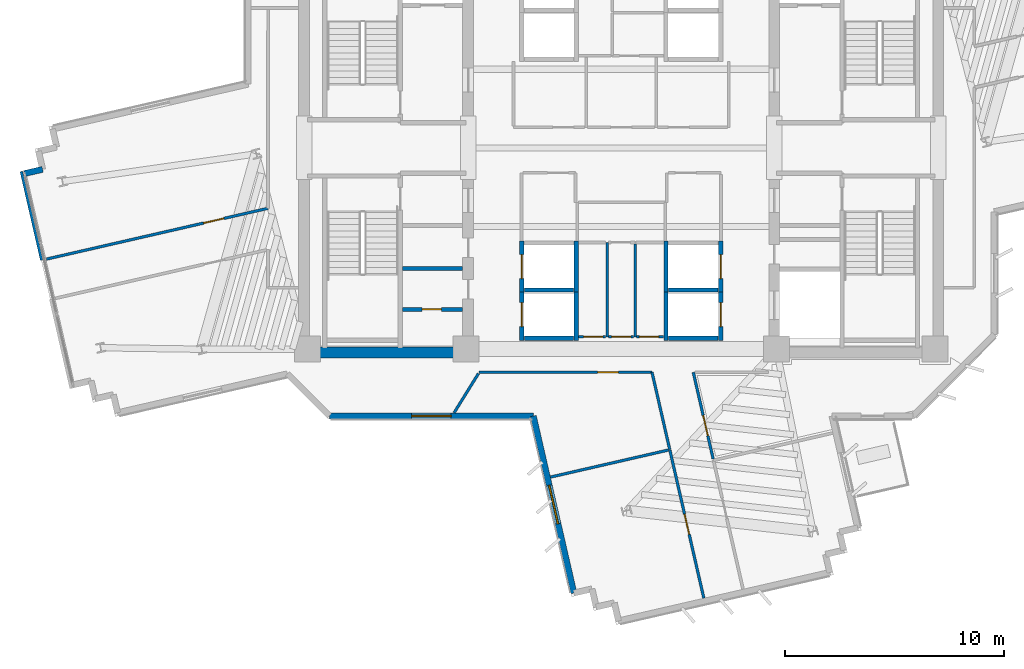
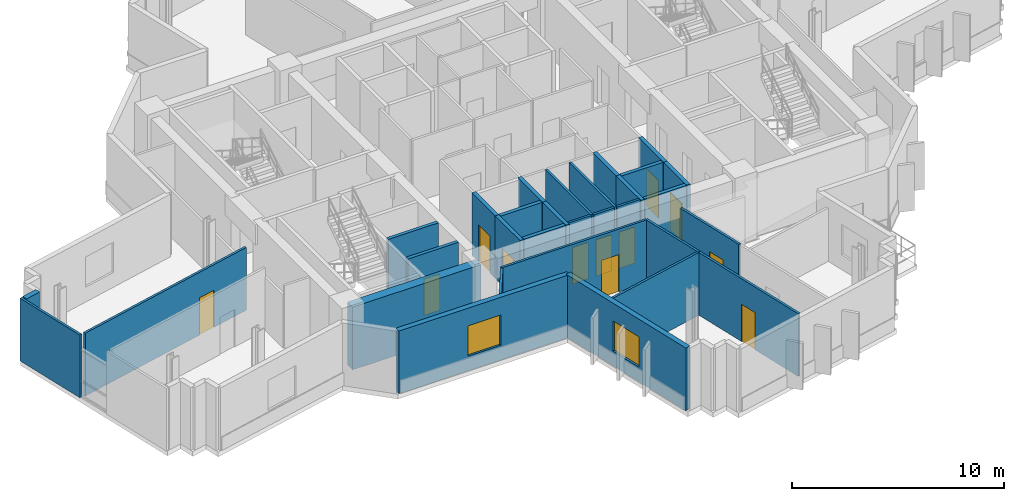
# One storey, part 6 of 13: 31 walls, 12 doors, 2 windows, 14 openings.
"""IFC4 building model written with IfcOpenShell, lengths in metres."""

from ifc_helpers import new_model, si_unit, direction, frame, frame_2d, origin, place, context, subcontext, project, spatial, rectangle, extrude, source, transform, mapped, material, layer, layer_set, type_object, element, fill, save


model = new_model("IFC4")

# Units and contexts
model_context = context("Model", 3, precision=1e-05, world=origin(), true_north=direction((0.0, 1.0)))
body_context = subcontext(model_context, "Body", "Model", "MODEL_VIEW")
ifc_project = project(units=[si_unit("LENGTHUNIT", "METRE"), si_unit("AREAUNIT", "SQUARE_METRE"), si_unit("VOLUMEUNIT", "CUBIC_METRE"), si_unit("PLANEANGLEUNIT", "RADIAN"), si_unit("MASSUNIT", "GRAM", prefix="KILO")], contexts=[model_context])

# Site, building, storey
site_placement = place(None, origin())
site = spatial("IfcSite", under=ifc_project, at=site_placement, CompositionType="ELEMENT")
building_placement = place(site_placement, origin())
building = spatial("IfcBuilding", under=site, at=building_placement, Name="Zahravan Cultural Tower", CompositionType="ELEMENT")
storey_placement = place(building_placement, frame((0.0, 0.0, 178.5)))
storey = spatial("IfcBuildingStorey", under=building, at=storey_placement, Name="L41", CompositionType="ELEMENT", Elevation=178.5)

# Wall, opening, window
ifc_material_1 = material(Name="Precast concrete C40/50", Category="concrete")
ifc_layer_1 = layer(ifc_material_1, 0.280029296875)
ifc_layer_set_1 = layer_set([ifc_layer_1], Name="Precast concrete C40/50")
wall_type_1 = type_object("IfcWallType", Name="EW-TC-280", PredefinedType="SOLIDWALL", material=ifc_layer_set_1)
wall_1_placement = place(storey_placement, frame((33.83740234375, 6.64111328125, 0.0), z_axis=(0.0, 0.0, 1.0), x_axis=(-0.223595405455, 0.974682047983, 0.0)))
wall_1 = element("IfcWall", 1, at=wall_1_placement, inside=storey, type_object=wall_type_1, Name="L41 Exterior Masonry Frame Wall 24", PredefinedType="SOLIDWALL", context=body_context, shape_type="SweptSolid", body=[
    extrude(rectangle(XDim=8.309326171875, YDim=0.280029296875, at=frame_2d((4.15478515625, 0.0))), origin(), (0.0, 0.0, 1.0), 3.6201171875),
])
opening_1_placement = place(wall_1_placement, frame((3.2548828125, 0.0, 0.85009765625)))
opening_1 = element("IfcOpeningElement", 2, at=opening_1_placement, cuts=wall_1, Name="Opening WN-02", PredefinedType="OPENING", context=body_context, shape_type="SweptSolid", body=[
    extrude(rectangle(XDim=1.800048828125, YDim=1.75, at=frame_2d((0.89990234375, 0.875))), frame((0.0, 0.14990234375, 0.0), z_axis=(0.0, -1.0, 0.0), x_axis=(1.0, 0.0, 0.0)), (0.0, 0.0, 1.0), 0.300048828125),
])
ifc_material_2 = material(Name="Low-E solar-control double glazing", Category="glass")
window_type = type_object("IfcWindowType", Name="WN-REC-1800X1750", PartitioningType="DOUBLE_PANEL_VERTICAL", PredefinedType="WINDOW", material=ifc_material_2)
shared_shape_1 = source(origin(), body_context, "Body", "SweptSolid", [
    extrude(rectangle(XDim=1.800048828125, YDim=1.75, at=frame_2d((0.89990234375, 0.875))), frame((0.0, 0.030029296875, 0.0), z_axis=(0.0, -1.0, 0.0), x_axis=(1.0, 0.0, 0.0)), (0.0, 0.0, 1.0), 0.06005859375),
])
window_1_placement = place(opening_1_placement, origin())
window_1 = element("IfcWindow", 3, at=window_1_placement, inside=storey, type_object=window_type, Name="L41 Recessed Solar Window 05", OverallHeight=1.75, OverallWidth=1.800048828125, PartitioningType="DOUBLE_PANEL_VERTICAL", PredefinedType="WINDOW", context=body_context, shape_type="MappedRepresentation", body=[
    mapped(shared_shape_1, transform((0.0, 0.0, 0.0), x_axis=(1.0, 0.0, 0.0), y_axis=(0.0, 1.0, 0.0), z_axis=(0.0, 0.0, 1.0), scale=1.0)),
])
fill(opening_1, window_1)

wall_2_placement = place(storey_placement, frame((31.9794921875, 14.739990234375, 0.0), z_axis=(0.0, 0.0, 1.0), x_axis=(-1.0, 0.0, 0.0)))
wall_2 = element("IfcWall", 4, at=wall_2_placement, inside=storey, type_object=wall_type_1, Name="L41 Exterior Masonry Frame Wall 25", PredefinedType="SOLIDWALL", context=body_context, shape_type="SweptSolid", body=[
    extrude(rectangle(XDim=9.321533203125, YDim=0.280029296875, at=frame_2d((4.66064453125, 0.0))), origin(), (0.0, 0.0, 1.0), 3.6201171875),
])
opening_2_placement = place(wall_2_placement, frame((3.760986328125, 0.0, 0.85009765625)))
opening_2 = element("IfcOpeningElement", 5, at=opening_2_placement, cuts=wall_2, Name="Opening WN-02", PredefinedType="OPENING", context=body_context, shape_type="SweptSolid", body=[
    extrude(rectangle(XDim=1.800048828125, YDim=1.75, at=frame_2d((0.89990234375, 0.875))), frame((0.0, 0.14990234375, 0.0), z_axis=(0.0, -1.0, 0.0), x_axis=(1.0, 0.0, 0.0)), (0.0, 0.0, 1.0), 0.300048828125),
])
window_2_placement = place(opening_2_placement, origin())
window_2 = element("IfcWindow", 6, at=window_2_placement, inside=storey, type_object=window_type, Name="L41 Recessed Solar Window 06", OverallHeight=1.75, OverallWidth=1.800048828125, PartitioningType="DOUBLE_PANEL_VERTICAL", PredefinedType="WINDOW", context=body_context, shape_type="MappedRepresentation", body=[
    mapped(shared_shape_1, transform((0.0, 0.0, 0.0), x_axis=(1.0, 0.0, 0.0), y_axis=(0.0, 1.0, 0.0), z_axis=(0.0, 0.0, 1.0), scale=1.0)),
])
fill(opening_2, window_2)

# Wall, opening, door
ifc_material_3 = material(Name="Gypsum plasterboard partition")
ifc_layer_2 = layer(ifc_material_3, 0.179931640625)
ifc_layer_set_2 = layer_set([ifc_layer_2], Name="Gypsum plasterboard partition")
wall_type_2 = type_object("IfcWallType", Name="W-COMP-180", PredefinedType="PARTITIONING", material=ifc_layer_set_2)
wall_3_placement = place(storey_placement, frame((26.0, 19.6201171875, 0.0), z_axis=(0.0, 0.0, 1.0), x_axis=(1.0, 0.0, 0.0)))
wall_3 = element("IfcWall", 7, at=wall_3_placement, inside=storey, type_object=wall_type_2, Name="L41 Interior Wall 026", PredefinedType="PARTITIONING", context=body_context, shape_type="SweptSolid", body=[
    extrude(rectangle(XDim=2.75, YDim=0.179931640625, at=frame_2d((1.375, 0.0))), origin(), (0.0, 0.0, 1.0), 3.6201171875),
])
opening_3_placement = place(wall_3_placement, frame((0.89990234375, 0.0, 0.0)))
opening_3 = element("IfcOpeningElement", 8, at=opening_3_placement, cuts=wall_3, Name="Opening D-L41-09", PredefinedType="OPENING", context=body_context, shape_type="SweptSolid", body=[
    extrude(rectangle(XDim=0.8798828125, YDim=2.10009765625, at=frame_2d((0.43994140625, 1.050048828125))), frame((0.0, 0.099853515625, 0.0), z_axis=(0.0, -1.0, 0.0), x_axis=(1.0, 0.0, 0.0)), (0.0, 0.0, 1.0), 0.199951171875),
])
ifc_material_4 = material(Name="Steel ASTM A572 Grade 50", Category="steel")
door_type_1 = type_object("IfcDoorType", Name="DR-SVC-880", OperationType="NOTDEFINED", PredefinedType="DOOR", material=ifc_material_4)
shared_shape_2 = source(origin(), body_context, "Body", "SweptSolid", [
    extrude(rectangle(XDim=0.8798828125, YDim=2.10009765625, at=frame_2d((0.43994140625, 1.050048828125))), frame((0.0, 0.02490234375, 0.0), z_axis=(0.0, -1.0, 0.0), x_axis=(1.0, 0.0, 0.0)), (0.0, 0.0, 1.0), 0.050048828125),
])
door_1_placement = place(opening_3_placement, origin())
door_1 = element("IfcDoor", 9, at=door_1_placement, inside=storey, type_object=door_type_1, Name="L41 Door D-L41-09", OperationType="SINGLE_SWING_LEFT", OverallHeight=2.10009765625, OverallWidth=0.8798828125, PredefinedType="DOOR", context=body_context, shape_type="MappedRepresentation", body=[
    mapped(shared_shape_2, transform((0.0, 0.0, 0.0), x_axis=(1.0, 0.0, 0.0), y_axis=(0.0, 1.0, 0.0), z_axis=(0.0, 0.0, 1.0), scale=1.0)),
])
fill(opening_3, door_1)

ifc_layer_3 = layer(ifc_material_3, 0.125)
ifc_layer_set_3 = layer_set([ifc_layer_3], Name="Gypsum plasterboard partition")
wall_type_3 = type_object("IfcWallType", Name="W-PART-125", PredefinedType="PARTITIONING", material=ifc_layer_set_3)
wall_4_placement = place(storey_placement, frame((36.572509765625, 18.360107421875, 0.0), z_axis=(0.0, 0.0, 1.0), x_axis=(-1.0, 0.0, 0.0)))
wall_4 = element("IfcWall", 10, at=wall_4_placement, inside=storey, type_object=wall_type_3, Name="L41 Interior Wall 065", PredefinedType="PARTITIONING", context=body_context, shape_type="SweptSolid", body=[
    extrude(rectangle(XDim=1.14501953125, YDim=0.125, at=frame_2d((0.572509765625, 0.0))), origin(), (0.0, 0.0, 1.0), 3.6201171875),
])
opening_4_placement = place(wall_4_placement, frame((0.132568359375, 0.0, 0.0)))
opening_4 = element("IfcOpeningElement", 11, at=opening_4_placement, cuts=wall_4, Name="Opening D-L41-21", PredefinedType="OPENING", context=body_context, shape_type="SweptSolid", body=[
    extrude(rectangle(XDim=0.8798828125, YDim=2.10009765625, at=frame_2d((0.43994140625, 1.050048828125))), frame((0.0, 0.072509765625, 0.0), z_axis=(0.0, -1.0, 0.0), x_axis=(1.0, 0.0, 0.0)), (0.0, 0.0, 1.0), 0.14501953125),
])
ifc_material_5 = material(Name="Anodised bronze-aluminium mullion", Category="aluminium")
door_type_2 = type_object("IfcDoorType", Name="DR-ROOM-880", OperationType="NOTDEFINED", PredefinedType="DOOR", material=ifc_material_5)
door_2_placement = place(opening_4_placement, origin())
door_2 = element("IfcDoor", 12, at=door_2_placement, inside=storey, type_object=door_type_2, Name="L41 Door D-L41-21", OperationType="SINGLE_SWING_LEFT", OverallHeight=2.10009765625, OverallWidth=0.8798828125, PredefinedType="DOOR", context=body_context, shape_type="MappedRepresentation", body=[
    mapped(shared_shape_2, transform((0.0, 0.0, 0.0), x_axis=(1.0, 0.0, 0.0), y_axis=(0.0, 1.0, 0.0), z_axis=(0.0, 0.0, 1.0), scale=1.0)),
])
fill(opening_4, door_2)

wall_5_placement = place(storey_placement, frame((35.29248046875, 18.360107421875, 0.0), z_axis=(0.0, 0.0, 1.0), x_axis=(-1.0, 0.0, 0.0)))
wall_5 = element("IfcWall", 13, at=wall_5_placement, inside=storey, type_object=wall_type_3, Name="L41 Interior Wall 067", PredefinedType="PARTITIONING", context=body_context, shape_type="SweptSolid", body=[
    extrude(rectangle(XDim=1.237548828125, YDim=0.125, at=frame_2d((0.61865234375, 0.0))), origin(), (0.0, 0.0, 1.0), 3.6201171875),
])
opening_5_placement = place(wall_5_placement, frame((0.125, 0.0, 0.0)))
opening_5 = element("IfcOpeningElement", 14, at=opening_5_placement, cuts=wall_5, Name="Opening D-L41-20", PredefinedType="OPENING", context=body_context, shape_type="SweptSolid", body=[
    extrude(rectangle(XDim=0.8798828125, YDim=2.10009765625, at=frame_2d((0.43994140625, 1.050048828125))), frame((0.0, 0.072509765625, 0.0), z_axis=(0.0, -1.0, 0.0), x_axis=(1.0, 0.0, 0.0)), (0.0, 0.0, 1.0), 0.14501953125),
])
door_3_placement = place(opening_5_placement, origin())
door_3 = element("IfcDoor", 15, at=door_3_placement, inside=storey, type_object=door_type_2, Name="L41 Door D-L41-20", OperationType="SINGLE_SWING_RIGHT", OverallHeight=2.10009765625, OverallWidth=0.8798828125, PredefinedType="DOOR", context=body_context, shape_type="MappedRepresentation", body=[
    mapped(shared_shape_2, transform((0.0, 0.0, 0.0), x_axis=(1.0, 0.0, 0.0), y_axis=(0.0, 1.0, 0.0), z_axis=(0.0, 0.0, 1.0), scale=1.0)),
])
fill(opening_5, door_3)

wall_6_placement = place(storey_placement, frame((37.945068359375, 18.360107421875, 0.0), z_axis=(0.0, 0.0, 1.0), x_axis=(-1.0, 0.0, 0.0)))
wall_6 = element("IfcWall", 16, at=wall_6_placement, inside=storey, type_object=wall_type_3, Name="L41 Interior Wall 069", PredefinedType="PARTITIONING", context=body_context, shape_type="SweptSolid", body=[
    extrude(rectangle(XDim=1.237548828125, YDim=0.125, at=frame_2d((0.61865234375, 0.0))), origin(), (0.0, 0.0, 1.0), 3.6201171875),
])
opening_6_placement = place(wall_6_placement, frame((0.232421875, 0.0, 0.0)))
opening_6 = element("IfcOpeningElement", 17, at=opening_6_placement, cuts=wall_6, Name="Opening D-L41-22", PredefinedType="OPENING", context=body_context, shape_type="SweptSolid", body=[
    extrude(rectangle(XDim=0.8798828125, YDim=2.10009765625, at=frame_2d((0.43994140625, 1.050048828125))), frame((0.0, 0.072509765625, 0.0), z_axis=(0.0, -1.0, 0.0), x_axis=(1.0, 0.0, 0.0)), (0.0, 0.0, 1.0), 0.14501953125),
])
door_4_placement = place(opening_6_placement, origin())
door_4 = element("IfcDoor", 18, at=door_4_placement, inside=storey, type_object=door_type_2, Name="L41 Door D-L41-22", OperationType="SINGLE_SWING_RIGHT", OverallHeight=2.10009765625, OverallWidth=0.8798828125, PredefinedType="DOOR", context=body_context, shape_type="MappedRepresentation", body=[
    mapped(shared_shape_2, transform((0.0, 0.0, 0.0), x_axis=(1.0, 0.0, 0.0), y_axis=(0.0, 1.0, 0.0), z_axis=(0.0, 0.0, 1.0), scale=1.0)),
])
fill(opening_6, door_4)

wall_7_placement = place(storey_placement, frame((29.487548828125, 16.739990234375, 0.0), z_axis=(0.0, 0.0, 1.0), x_axis=(1.0, 0.0, 0.0)))
wall_7 = element("IfcWall", 19, at=wall_7_placement, inside=storey, type_object=wall_type_3, Name="L41 Interior Wall 088", PredefinedType="PARTITIONING", context=body_context, shape_type="SweptSolid", body=[
    extrude(rectangle(XDim=7.922119140625, YDim=0.125, at=frame_2d((3.9609375, 0.0))), origin(), (0.0, 0.0, 1.0), 3.6201171875),
])
opening_7_placement = place(wall_7_placement, frame((5.438232421875, 0.0, 0.0)))
opening_7 = element("IfcOpeningElement", 20, at=opening_7_placement, cuts=wall_7, Name="Opening D-L41-28", PredefinedType="OPENING", context=body_context, shape_type="SweptSolid", body=[
    extrude(rectangle(XDim=0.949951171875, YDim=2.14990234375, at=frame_2d((0.47509765625, 1.074951171875))), frame((0.0, 0.072509765625, 0.0), z_axis=(0.0, -1.0, 0.0), x_axis=(1.0, 0.0, 0.0)), (0.0, 0.0, 1.0), 0.14501953125),
])
door_type_3 = type_object("IfcDoorType", Name="DR-ROOM-950", OperationType="NOTDEFINED", PredefinedType="DOOR", material=ifc_material_5)
shared_shape_3 = source(origin(), body_context, "Body", "SweptSolid", [
    extrude(rectangle(XDim=0.949951171875, YDim=2.14990234375, at=frame_2d((0.47509765625, 1.074951171875))), frame((0.0, 0.02490234375, 0.0), z_axis=(0.0, -1.0, 0.0), x_axis=(1.0, 0.0, 0.0)), (0.0, 0.0, 1.0), 0.050048828125),
])
door_5_placement = place(opening_7_placement, origin())
door_5 = element("IfcDoor", 21, at=door_5_placement, inside=storey, type_object=door_type_3, Name="L41 Door D-L41-28", OperationType="SINGLE_SWING_RIGHT", OverallHeight=2.14990234375, OverallWidth=0.949951171875, PredefinedType="DOOR", context=body_context, shape_type="MappedRepresentation", body=[
    mapped(shared_shape_3, transform((0.0, 0.0, 0.0), x_axis=(1.0, 0.0, 0.0), y_axis=(0.0, 1.0, 0.0), z_axis=(0.0, 0.0, 1.0), scale=1.0)),
])
fill(opening_7, door_5)

wall_8_placement = place(storey_placement, frame((40.206298828125, 12.778076171875, 0.0), z_axis=(0.0, 0.0, 1.0), x_axis=(-0.223552104445, 0.97469198037, 0.0)))
wall_8 = element("IfcWall", 22, at=wall_8_placement, inside=storey, type_object=wall_type_3, Name="L41 Interior Wall 094", PredefinedType="PARTITIONING", context=body_context, shape_type="SweptSolid", body=[
    extrude(rectangle(XDim=4.064697265625, YDim=0.125, at=frame_2d((2.0322265625, 0.0))), origin(), (0.0, 0.0, 1.0), 3.6201171875),
])
opening_8_placement = place(wall_8_placement, frame((1.090087890625, 0.0, 0.0)))
opening_8 = element("IfcOpeningElement", 23, at=opening_8_placement, cuts=wall_8, Name="Opening D-L41-30", PredefinedType="OPENING", context=body_context, shape_type="SweptSolid", body=[
    extrude(rectangle(XDim=0.949951171875, YDim=2.14990234375, at=frame_2d((0.47509765625, 1.074951171875))), frame((0.0, 0.072509765625, 0.0), z_axis=(0.0, -1.0, 0.0), x_axis=(1.0, 0.0, 0.0)), (0.0, 0.0, 1.0), 0.14501953125),
])
door_6_placement = place(opening_8_placement, origin())
door_6 = element("IfcDoor", 24, at=door_6_placement, inside=storey, type_object=door_type_3, Name="L41 Door D-L41-30", OperationType="SINGLE_SWING_RIGHT", OverallHeight=2.14990234375, OverallWidth=0.949951171875, PredefinedType="DOOR", context=body_context, shape_type="MappedRepresentation", body=[
    mapped(shared_shape_3, transform((0.0, 0.0, 0.0), x_axis=(1.0, 0.0, 0.0), y_axis=(0.0, 1.0, 0.0), z_axis=(0.0, 0.0, 1.0), scale=1.0)),
])
fill(opening_8, door_6)

wall_9_placement = place(storey_placement, frame((38.226806640625, 13.177978515625, 0.0), z_axis=(0.0, 0.0, 1.0), x_axis=(0.223573066544, -0.974687172336, 0.0)))
wall_9 = element("IfcWall", 25, at=wall_9_placement, inside=storey, type_object=wall_type_3, Name="L41 Interior Wall 096", PredefinedType="PARTITIONING", context=body_context, shape_type="SweptSolid", body=[
    extrude(rectangle(XDim=6.945068359375, YDim=0.125, at=frame_2d((3.47265625, 0.0))), origin(), (0.0, 0.0, 1.0), 3.6201171875),
])
opening_9_placement = place(wall_9_placement, frame((2.99755859375, 0.0, 0.0)))
opening_9 = element("IfcOpeningElement", 26, at=opening_9_placement, cuts=wall_9, Name="Opening D-L41-29", PredefinedType="OPENING", context=body_context, shape_type="SweptSolid", body=[
    extrude(rectangle(XDim=0.949951171875, YDim=2.14990234375, at=frame_2d((0.47509765625, 1.074951171875))), frame((0.0, 0.072509765625, 0.0), z_axis=(0.0, -1.0, 0.0), x_axis=(1.0, 0.0, 0.0)), (0.0, 0.0, 1.0), 0.14501953125),
])
door_7_placement = place(opening_9_placement, origin())
door_7 = element("IfcDoor", 27, at=door_7_placement, inside=storey, type_object=door_type_3, Name="L41 Door D-L41-29", OperationType="SINGLE_SWING_LEFT", OverallHeight=2.14990234375, OverallWidth=0.949951171875, PredefinedType="DOOR", context=body_context, shape_type="MappedRepresentation", body=[
    mapped(shared_shape_3, transform((0.0, 0.0, 0.0), x_axis=(1.0, 0.0, 0.0), y_axis=(0.0, 1.0, 0.0), z_axis=(0.0, 0.0, 1.0), scale=1.0)),
])
fill(opening_9, door_7)

wall_10_placement = place(storey_placement, frame((19.85009765625, 24.239013671875, 0.0), z_axis=(0.0, 0.0, 1.0), x_axis=(-0.974685214681, -0.223581600949, 0.0)))
wall_10 = element("IfcWall", 28, at=wall_10_placement, inside=storey, type_object=wall_type_3, Name="L41 Interior Wall 098", PredefinedType="PARTITIONING", context=body_context, shape_type="SweptSolid", body=[
    extrude(rectangle(XDim=10.396484375, YDim=0.125, at=frame_2d((5.1982421875, 0.0))), origin(), (0.0, 0.0, 1.0), 3.6201171875),
])
opening_10_placement = place(wall_10_placement, frame((2.078125, 0.0, 0.0)))
opening_10 = element("IfcOpeningElement", 29, at=opening_10_placement, cuts=wall_10, Name="Opening D-L41-26", PredefinedType="OPENING", context=body_context, shape_type="SweptSolid", body=[
    extrude(rectangle(XDim=0.949951171875, YDim=2.14990234375, at=frame_2d((0.47509765625, 1.074951171875))), frame((0.0, 0.072509765625, 0.0), z_axis=(0.0, -1.0, 0.0), x_axis=(1.0, 0.0, 0.0)), (0.0, 0.0, 1.0), 0.14501953125),
])
door_8_placement = place(opening_10_placement, origin())
door_8 = element("IfcDoor", 30, at=door_8_placement, inside=storey, type_object=door_type_3, Name="L41 Door D-L41-26", OperationType="SINGLE_SWING_RIGHT", OverallHeight=2.14990234375, OverallWidth=0.949951171875, PredefinedType="DOOR", context=body_context, shape_type="MappedRepresentation", body=[
    mapped(shared_shape_3, transform((0.0, 0.0, 0.0), x_axis=(1.0, 0.0, 0.0), y_axis=(0.0, 1.0, 0.0), z_axis=(0.0, 0.0, 1.0), scale=1.0)),
])
fill(opening_10, door_8)

ifc_material_6 = material(Name="Concrete C45/55", Category="concrete")
ifc_layer_4 = layer(ifc_material_6, 0.199951171875)
ifc_layer_set_4 = layer_set([ifc_layer_4], Name="Concrete C45/55")
wall_type_4 = type_object("IfcWallType", Name="W-SHAFT-200", PredefinedType="SOLIDWALL", material=ifc_layer_set_4)
wall_11_placement = place(storey_placement, frame((31.449951171875, 20.39990234375, 0.0), z_axis=(0.0, 0.0, 1.0), x_axis=(0.0, 1.0, 0.0)))
wall_11 = element("IfcWall", 31, at=wall_11_placement, inside=storey, type_object=wall_type_4, Name="L41 Interior Wall 043", PredefinedType="SOLIDWALL", context=body_context, shape_type="SweptSolid", body=[
    extrude(rectangle(XDim=2.35009765625, YDim=0.199951171875, at=frame_2d((1.175048828125, 0.0))), origin(), (0.0, 0.0, 1.0), 3.6201171875),
])
opening_11_placement = place(wall_11_placement, frame((0.625, 0.0, 0.0)))
opening_11 = element("IfcOpeningElement", 32, at=opening_11_placement, cuts=wall_11, Name="Opening LD-L41-04", PredefinedType="OPENING", context=body_context, shape_type="SweptSolid", body=[
    extrude(rectangle(XDim=1.10009765625, YDim=2.14990234375, at=frame_2d((0.550048828125, 1.074951171875))), frame((0.0, 0.10986328125, 0.0), z_axis=(0.0, -1.0, 0.0), x_axis=(1.0, 0.0, 0.0)), (0.0, 0.0, 1.0), 0.219970703125),
])
door_type_4 = type_object("IfcDoorType", Name="DR-LIFT-1100", OperationType="DOUBLE_DOOR_SLIDING", PredefinedType="DOOR", material=ifc_material_4)
shared_shape_4 = source(origin(), body_context, "Body", "SweptSolid", [
    extrude(rectangle(XDim=1.10009765625, YDim=2.14990234375, at=frame_2d((0.550048828125, 1.074951171875))), frame((0.0, 0.02490234375, 0.0), z_axis=(0.0, -1.0, 0.0), x_axis=(1.0, 0.0, 0.0)), (0.0, 0.0, 1.0), 0.050048828125),
])
door_9_placement = place(opening_11_placement, origin())
door_9 = element("IfcDoor", 33, at=door_9_placement, inside=storey, type_object=door_type_4, Name="L41 Door LD-L41-04", OperationType="DOUBLE_DOOR_SLIDING", OverallHeight=2.14990234375, OverallWidth=1.10009765625, PredefinedType="DOOR", context=body_context, shape_type="MappedRepresentation", body=[
    mapped(shared_shape_4, transform((0.0, 0.0, 0.0), x_axis=(1.0, 0.0, 0.0), y_axis=(0.0, 1.0, 0.0), z_axis=(0.0, 0.0, 1.0), scale=1.0)),
])
fill(opening_11, door_9)

wall_12_placement = place(storey_placement, frame((31.449951171875, 18.199951171875, 0.0), z_axis=(0.0, 0.0, 1.0), x_axis=(0.0, 1.0, 0.0)))
wall_12 = element("IfcWall", 34, at=wall_12_placement, inside=storey, type_object=wall_type_4, Name="L41 Interior Wall 047", PredefinedType="SOLIDWALL", context=body_context, shape_type="SweptSolid", body=[
    extrude(rectangle(XDim=2.35009765625, YDim=0.199951171875, at=frame_2d((1.175048828125, 0.0))), origin(), (0.0, 0.0, 1.0), 3.6201171875),
])
opening_12_placement = place(wall_12_placement, frame((0.625, 0.0, 0.0)))
opening_12 = element("IfcOpeningElement", 35, at=opening_12_placement, cuts=wall_12, Name="Opening LD-L41-05", PredefinedType="OPENING", context=body_context, shape_type="SweptSolid", body=[
    extrude(rectangle(XDim=1.10009765625, YDim=2.14990234375, at=frame_2d((0.550048828125, 1.074951171875))), frame((0.0, 0.10986328125, 0.0), z_axis=(0.0, -1.0, 0.0), x_axis=(1.0, 0.0, 0.0)), (0.0, 0.0, 1.0), 0.219970703125),
])
door_10_placement = place(opening_12_placement, origin())
door_10 = element("IfcDoor", 36, at=door_10_placement, inside=storey, type_object=door_type_4, Name="L41 Door LD-L41-05", OperationType="DOUBLE_DOOR_SLIDING", OverallHeight=2.14990234375, OverallWidth=1.10009765625, PredefinedType="DOOR", context=body_context, shape_type="MappedRepresentation", body=[
    mapped(shared_shape_4, transform((0.0, 0.0, 0.0), x_axis=(1.0, 0.0, 0.0), y_axis=(0.0, 1.0, 0.0), z_axis=(0.0, 0.0, 1.0), scale=1.0)),
])
fill(opening_12, door_10)

wall_13_placement = place(storey_placement, frame((40.550048828125, 20.39990234375, 0.0), z_axis=(0.0, 0.0, 1.0), x_axis=(0.0, 1.0, 0.0)))
wall_13 = element("IfcWall", 37, at=wall_13_placement, inside=storey, type_object=wall_type_4, Name="L41 Interior Wall 051", PredefinedType="SOLIDWALL", context=body_context, shape_type="SweptSolid", body=[
    extrude(rectangle(XDim=2.35009765625, YDim=0.199951171875, at=frame_2d((1.175048828125, 0.0))), origin(), (0.0, 0.0, 1.0), 3.6201171875),
])
opening_13_placement = place(wall_13_placement, frame((0.625, 0.0, 0.0)))
opening_13 = element("IfcOpeningElement", 38, at=opening_13_placement, cuts=wall_13, Name="Opening LD-L41-06", PredefinedType="OPENING", context=body_context, shape_type="SweptSolid", body=[
    extrude(rectangle(XDim=1.10009765625, YDim=2.14990234375, at=frame_2d((0.550048828125, 1.074951171875))), frame((0.0, 0.10986328125, 0.0), z_axis=(0.0, -1.0, 0.0), x_axis=(1.0, 0.0, 0.0)), (0.0, 0.0, 1.0), 0.219970703125),
])
door_11_placement = place(opening_13_placement, origin())
door_11 = element("IfcDoor", 39, at=door_11_placement, inside=storey, type_object=door_type_4, Name="L41 Door LD-L41-06", OperationType="DOUBLE_DOOR_SLIDING", OverallHeight=2.14990234375, OverallWidth=1.10009765625, PredefinedType="DOOR", context=body_context, shape_type="MappedRepresentation", body=[
    mapped(shared_shape_4, transform((0.0, 0.0, 0.0), x_axis=(1.0, 0.0, 0.0), y_axis=(0.0, 1.0, 0.0), z_axis=(0.0, 0.0, 1.0), scale=1.0)),
])
fill(opening_13, door_11)

wall_14_placement = place(storey_placement, frame((40.550048828125, 18.199951171875, 0.0), z_axis=(0.0, 0.0, 1.0), x_axis=(0.0, 1.0, 0.0)))
wall_14 = element("IfcWall", 40, at=wall_14_placement, inside=storey, type_object=wall_type_4, Name="L41 Interior Wall 055", PredefinedType="SOLIDWALL", context=body_context, shape_type="SweptSolid", body=[
    extrude(rectangle(XDim=2.35009765625, YDim=0.199951171875, at=frame_2d((1.175048828125, 0.0))), origin(), (0.0, 0.0, 1.0), 3.6201171875),
])
opening_14_placement = place(wall_14_placement, frame((0.625, 0.0, 0.0)))
opening_14 = element("IfcOpeningElement", 41, at=opening_14_placement, cuts=wall_14, Name="Opening LD-L41-07", PredefinedType="OPENING", context=body_context, shape_type="SweptSolid", body=[
    extrude(rectangle(XDim=1.10009765625, YDim=2.14990234375, at=frame_2d((0.550048828125, 1.074951171875))), frame((0.0, 0.10986328125, 0.0), z_axis=(0.0, -1.0, 0.0), x_axis=(1.0, 0.0, 0.0)), (0.0, 0.0, 1.0), 0.219970703125),
])
door_12_placement = place(opening_14_placement, origin())
door_12 = element("IfcDoor", 42, at=door_12_placement, inside=storey, type_object=door_type_4, Name="L41 Door LD-L41-07", OperationType="DOUBLE_DOOR_SLIDING", OverallHeight=2.14990234375, OverallWidth=1.10009765625, PredefinedType="DOOR", context=body_context, shape_type="MappedRepresentation", body=[
    mapped(shared_shape_4, transform((0.0, 0.0, 0.0), x_axis=(1.0, 0.0, 0.0), y_axis=(0.0, 1.0, 0.0), z_axis=(0.0, 0.0, 1.0), scale=1.0)),
])
fill(opening_14, door_12)

# Walls
ifc_material_7 = material(Name="Concrete C60/75", Category="concrete")
ifc_layer_5 = layer(ifc_material_7, 0.5)
ifc_layer_set_5 = layer_set([ifc_layer_5], Name="Concrete C60/75")
wall_type_5 = type_object("IfcWallType", Name="CW-SHEAR-500-C60", PredefinedType="SHEAR", material=ifc_layer_set_5)
shared_shape_5 = source(origin(), body_context, "Body", "SweptSolid", [
    extrude(rectangle(XDim=7.0, YDim=0.5, at=frame_2d((3.5, 0.0))), origin(), (0.0, 0.0, 1.0), 3.6201171875),
])
wall_15_placement = place(storey_placement, frame((21.75, 17.64990234375, 0.0), z_axis=(0.0, 0.0, 1.0), x_axis=(1.0, 0.0, 0.0)))
element("IfcWall", 43, at=wall_15_placement, inside=storey, type_object=wall_type_5, Name="L41 Core Shear Wall CW-W-S-L41", PredefinedType="SHEAR", context=body_context, shape_type="MappedRepresentation", body=[
    mapped(shared_shape_5, transform((0.0, 0.0, 0.0), x_axis=(1.0, 0.0, 0.0), y_axis=(0.0, 1.0, 0.0), z_axis=(0.0, 0.0, 1.0), scale=1.0)),
])
shared_shape_6 = source(origin(), body_context, "Body", "SweptSolid", [
    extrude(rectangle(XDim=0.849853515625, YDim=0.280029296875, at=frame_2d((0.4248046875, 0.0))), origin(), (0.0, 0.0, 1.0), 3.6201171875),
])
wall_16_placement = place(storey_placement, frame((8.7109375, 25.828857421875, 0.0), z_axis=(0.0, 0.0, 1.0), x_axis=(0.974704946586, 0.223495563939, 0.0)))
element("IfcWall", 44, at=wall_16_placement, inside=storey, type_object=wall_type_1, Name="L41 Exterior Masonry Frame Wall 32", PredefinedType="SOLIDWALL", context=body_context, shape_type="MappedRepresentation", body=[
    mapped(shared_shape_6, transform((0.0, 0.0, 0.0), x_axis=(1.0, 0.0, 0.0), y_axis=(0.0, 1.0, 0.0), z_axis=(0.0, 0.0, 1.0), scale=1.0)),
])
shared_shape_7 = source(origin(), body_context, "Body", "SweptSolid", [
    extrude(rectangle(XDim=2.75, YDim=0.179931640625, at=frame_2d((1.375, 0.0))), origin(), (0.0, 0.0, 1.0), 3.6201171875),
])
wall_17_placement = place(storey_placement, frame((26.0, 21.47998046875, 0.0), z_axis=(0.0, 0.0, 1.0), x_axis=(1.0, 0.0, 0.0)))
element("IfcWall", 45, at=wall_17_placement, inside=storey, type_object=wall_type_2, Name="L41 Interior Wall 027", PredefinedType="PARTITIONING", context=body_context, shape_type="MappedRepresentation", body=[
    mapped(shared_shape_7, transform((0.0, 0.0, 0.0), x_axis=(1.0, 0.0, 0.0), y_axis=(0.0, 1.0, 0.0), z_axis=(0.0, 0.0, 1.0), scale=1.0)),
])
shared_shape_8 = source(origin(), body_context, "Body", "SweptSolid", [
    extrude(rectangle(XDim=2.260009765625, YDim=0.199951171875, at=frame_2d((1.1298828125, 0.0))), origin(), (0.0, 0.0, 1.0), 3.6201171875),
])
for number, where, z_axis, x_axis, name in (
    (46, (31.570068359375, 20.5, 0.0), (0.0, 0.0, 1.0), (1.0, 0.0, 0.0), "L41 Interior Wall 045"),
    (47, (31.570068359375, 18.300048828125, 0.0), (0.0, 0.0, 1.0), (1.0, 0.0, 0.0), "L41 Interior Wall 049"),
    (48, (38.169921875, 20.5, 0.0), (0.0, 0.0, 1.0), (1.0, 0.0, 0.0), "L41 Interior Wall 052"),
    (49, (38.169921875, 18.300048828125, 0.0), (0.0, 0.0, 1.0), (1.0, 0.0, 0.0), "L41 Interior Wall 056"),
):
    element("IfcWall", number, at=place(storey_placement, frame(where, z_axis=z_axis, x_axis=x_axis)), inside=storey, type_object=wall_type_4, Name=name, PredefinedType="SOLIDWALL", context=body_context, shape_type="MappedRepresentation", body=[
        mapped(shared_shape_8, transform((0.0, 0.0, 0.0), x_axis=(1.0, 0.0, 0.0), y_axis=(0.0, 1.0, 0.0), z_axis=(0.0, 0.0, 1.0), scale=1.0)),
    ])
shared_shape_9 = source(origin(), body_context, "Body", "SweptSolid", [
    extrude(rectangle(XDim=2.35009765625, YDim=0.199951171875, at=frame_2d((1.175048828125, 0.0))), origin(), (0.0, 0.0, 1.0), 3.6201171875),
])
for number, where, z_axis, x_axis, name in (
    (50, (33.949951171875, 20.39990234375, 0.0), (0.0, 0.0, 1.0), (0.0, 1.0, 0.0), "L41 Interior Wall 044"),
    (51, (33.949951171875, 18.199951171875, 0.0), (0.0, 0.0, 1.0), (0.0, 1.0, 0.0), "L41 Interior Wall 048"),
    (52, (38.050048828125, 20.39990234375, 0.0), (0.0, 0.0, 1.0), (0.0, 1.0, 0.0), "L41 Interior Wall 050"),
    (53, (38.050048828125, 18.199951171875, 0.0), (0.0, 0.0, 1.0), (0.0, 1.0, 0.0), "L41 Interior Wall 054"),
):
    element("IfcWall", number, at=place(storey_placement, frame(where, z_axis=z_axis, x_axis=x_axis)), inside=storey, type_object=wall_type_4, Name=name, PredefinedType="SOLIDWALL", context=body_context, shape_type="MappedRepresentation", body=[
        mapped(shared_shape_9, transform((0.0, 0.0, 0.0), x_axis=(1.0, 0.0, 0.0), y_axis=(0.0, 1.0, 0.0), z_axis=(0.0, 0.0, 1.0), scale=1.0)),
    ])
shared_shape_10 = source(origin(), body_context, "Body", "SweptSolid", [
    extrude(rectangle(XDim=5.52734375, YDim=0.125, at=frame_2d((2.763671875, 0.0))), origin(), (0.0, 0.0, 1.0), 3.6201171875),
])
wall_18_placement = place(storey_placement, frame((38.156494140625, 13.182373046875, 0.0), z_axis=(0.0, 0.0, 1.0), x_axis=(-0.974684411123, -0.223585103961, 0.0)))
element("IfcWall", 54, at=wall_18_placement, inside=storey, type_object=wall_type_3, Name="L41 Interior Wall 090", PredefinedType="PARTITIONING", context=body_context, shape_type="MappedRepresentation", body=[
    mapped(shared_shape_10, transform((0.0, 0.0, 0.0), x_axis=(1.0, 0.0, 0.0), y_axis=(0.0, 1.0, 0.0), z_axis=(0.0, 0.0, 1.0), scale=1.0)),
])
shared_shape_11 = source(origin(), body_context, "Body", "SweptSolid", [
    extrude(rectangle(XDim=4.159912109375, YDim=0.125, at=frame_2d((2.080078125, 0.0))), origin(), (0.0, 0.0, 1.0), 3.6201171875),
])
wall_19_placement = place(storey_placement, frame((9.497314453125, 21.8642578125, 0.0), z_axis=(0.0, 0.0, 1.0), x_axis=(-0.223599186995, 0.974681180477, 0.0)))
element("IfcWall", 55, at=wall_19_placement, inside=storey, type_object=wall_type_3, Name="L41 Interior Wall 099", PredefinedType="PARTITIONING", context=body_context, shape_type="MappedRepresentation", body=[
    mapped(shared_shape_11, transform((0.0, 0.0, 0.0), x_axis=(1.0, 0.0, 0.0), y_axis=(0.0, 1.0, 0.0), z_axis=(0.0, 0.0, 1.0), scale=1.0)),
])
shared_shape_12 = source(origin(), body_context, "Body", "SweptSolid", [
    extrude(rectangle(XDim=4.31982421875, YDim=0.125, at=frame_2d((2.159912109375, 0.0))), origin(), (0.0, 0.0, 1.0), 3.6201171875),
])
wall_20_placement = place(storey_placement, frame((35.360107421875, 18.360107421875, 0.0), z_axis=(0.0, 0.0, 1.0), x_axis=(0.0, 1.0, 0.0)))
element("IfcWall", 56, at=wall_20_placement, inside=storey, type_object=wall_type_3, Name="L41 Interior Wall 062", PredefinedType="PARTITIONING", context=body_context, shape_type="MappedRepresentation", body=[
    mapped(shared_shape_12, transform((0.0, 0.0, 0.0), x_axis=(1.0, 0.0, 0.0), y_axis=(0.0, 1.0, 0.0), z_axis=(0.0, 0.0, 1.0), scale=1.0)),
])
shared_shape_13 = source(origin(), body_context, "Body", "SweptSolid", [
    extrude(rectangle(XDim=4.25244140625, YDim=0.125, at=frame_2d((2.126220703125, 0.0))), origin(), (0.0, 0.0, 1.0), 3.6201171875),
])
wall_21_placement = place(storey_placement, frame((36.639892578125, 22.612548828125, 0.0), z_axis=(0.0, 0.0, 1.0), x_axis=(0.0, -1.0, 0.0)))
element("IfcWall", 57, at=wall_21_placement, inside=storey, type_object=wall_type_3, Name="L41 Interior Wall 064", PredefinedType="PARTITIONING", context=body_context, shape_type="MappedRepresentation", body=[
    mapped(shared_shape_13, transform((0.0, 0.0, 0.0), x_axis=(1.0, 0.0, 0.0), y_axis=(0.0, 1.0, 0.0), z_axis=(0.0, 0.0, 1.0), scale=1.0)),
])
shared_shape_14 = source(origin(), body_context, "Body", "SweptSolid", [
    extrude(rectangle(XDim=3.634521484375, YDim=0.125, at=frame_2d((1.8173828125, 0.0))), origin(), (0.0, 0.0, 1.0), 3.6201171875),
])
wall_22_placement = place(storey_placement, frame((37.40966796875, 16.739990234375, 0.0), z_axis=(0.0, 0.0, 1.0), x_axis=(0.223618137603, -0.974676832871, 0.0)))
element("IfcWall", 58, at=wall_22_placement, inside=storey, type_object=wall_type_3, Name="L41 Interior Wall 089", PredefinedType="PARTITIONING", context=body_context, shape_type="MappedRepresentation", body=[
    mapped(shared_shape_14, transform((0.0, 0.0, 0.0), x_axis=(1.0, 0.0, 0.0), y_axis=(0.0, 1.0, 0.0), z_axis=(0.0, 0.0, 1.0), scale=1.0)),
])
shared_shape_15 = source(origin(), body_context, "Body", "SweptSolid", [
    extrude(rectangle(XDim=2.10986328125, YDim=0.125, at=frame_2d((1.054931640625, 0.0))), origin(), (0.0, 0.0, 1.0), 3.6201171875),
])
wall_23_placement = place(storey_placement, frame((28.35791015625, 14.885009765625, 0.0), z_axis=(0.0, 0.0, 1.0), x_axis=(0.527083427868, 0.849813544295, 0.0)))
element("IfcWall", 59, at=wall_23_placement, inside=storey, type_object=wall_type_3, Name="L41 Interior Wall 091", PredefinedType="PARTITIONING", context=body_context, shape_type="MappedRepresentation", body=[
    mapped(shared_shape_15, transform((0.0, 0.0, 0.0), x_axis=(1.0, 0.0, 0.0), y_axis=(0.0, 1.0, 0.0), z_axis=(0.0, 0.0, 1.0), scale=1.0)),
])

save(model, "model.ifc")
